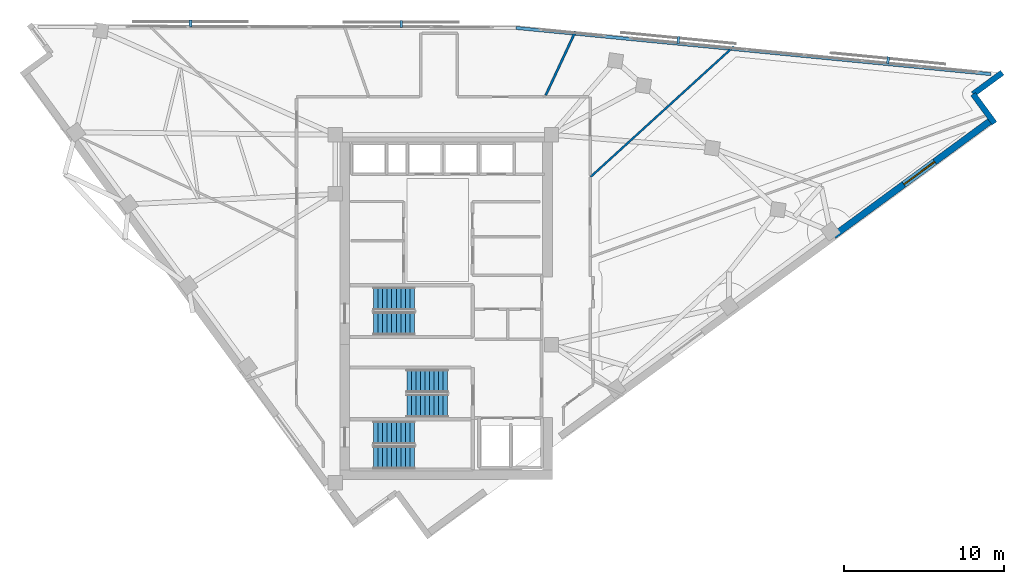
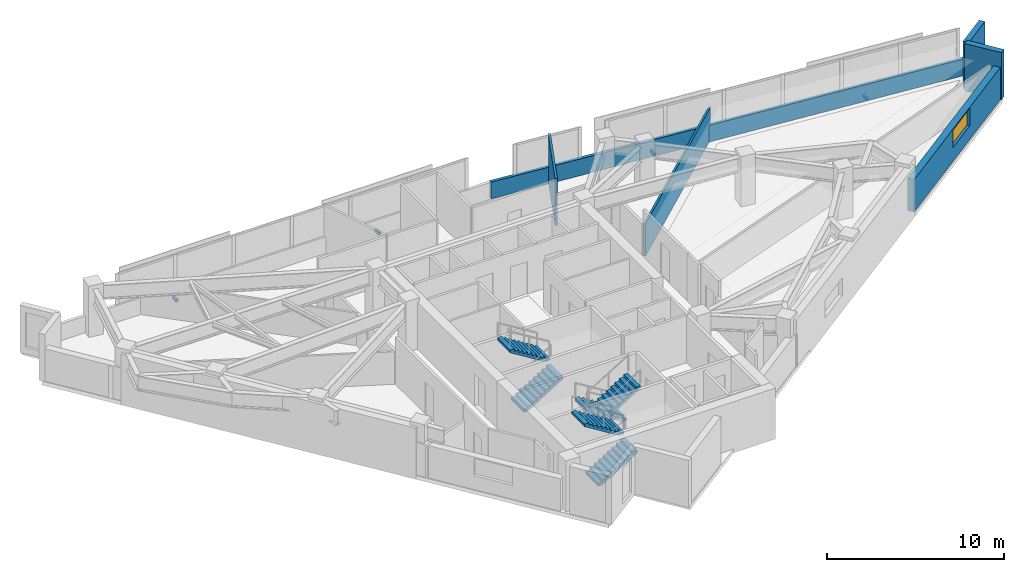
# One storey, part 12 of 14: 6 stair flights, 6 walls, 4 discrete accessories, 1 window, 1 opening, 3 elements without a shape of their own.
"""IFC4 building model written with IfcOpenShell, lengths in metres."""

from ifc_helpers import new_model, si_unit, direction, frame, frame_2d, origin, origin_2d, place, context, subcontext, project, spatial, polyline, rectangle, outline, extrude, material, layer, layer_set, type_object, element, fill, aggregate, save


model = new_model("IFC4")

# Units and contexts
model_context = context("Model", 3, precision=1e-05, world=origin(), true_north=direction((0.0, 1.0)))
body_context = subcontext(model_context, "Body", "Model", "MODEL_VIEW")
ifc_project = project(units=[si_unit("LENGTHUNIT", "METRE"), si_unit("AREAUNIT", "SQUARE_METRE"), si_unit("VOLUMEUNIT", "CUBIC_METRE"), si_unit("PLANEANGLEUNIT", "RADIAN"), si_unit("MASSUNIT", "GRAM", prefix="KILO")], contexts=[model_context])

# Site, building, storey
site_placement = place(None, origin())
site = spatial("IfcSite", under=ifc_project, at=site_placement, CompositionType="ELEMENT")
building_placement = place(site_placement, origin())
building = spatial("IfcBuilding", under=site, at=building_placement, Name="Narakoshi Arena Tower", CompositionType="ELEMENT")
storey_placement = place(building_placement, frame((0.0, 0.0, 260.739990234375)))
storey = spatial("IfcBuildingStorey", under=building, at=storey_placement, Name="L71", CompositionType="ELEMENT", Elevation=260.739990234375)

# Walls
ifc_material_1 = material(Name="Precast concrete C45/55", Category="concrete")
ifc_layer_1 = layer(ifc_material_1, 0.25)
ifc_layer_set_1 = layer_set([ifc_layer_1], Name="Precast concrete C45/55")
wall_type_1 = type_object("IfcWallType", Name="WL-PARA-250", PredefinedType="PARAPET", material=ifc_layer_set_1)
wall_1_placement = place(storey_placement, frame((113.093505859375, 60.296630859375, 0.0), z_axis=(0.0, 0.0, 1.0), x_axis=(-0.995299069493, 0.096849172769, 0.0)))
element("IfcWall", 1, at=wall_1_placement, inside=storey, type_object=wall_type_1, Name="L71 Hypotenuse Sill Upstand Parapet 1-01", PredefinedType="PARAPET", context=body_context, shape_type="SweptSolid", body=[
    extrude(rectangle(XDim=29.917236328125, YDim=0.199951171875, at=frame_2d((14.95849609375, 0.0))), origin(), (0.0, 0.0, 1.0), 1.14990234375),
])
ifc_material_2 = material(Name="Gypsum plasterboard fire-rated partition")
ifc_layer_2 = layer(ifc_material_2, 0.125)
ifc_layer_set_2 = layer_set([ifc_layer_2], Name="Gypsum plasterboard fire-rated partition")
wall_type_2 = type_object("IfcWallType", Name="WL-PART-125", PredefinedType="PARTITIONING", material=ifc_layer_set_2)
wall_2_placement = place(storey_placement, frame((88.00244140625, 53.86376953125, 0.0), z_axis=(0.0, 0.0, 1.0), x_axis=(0.739296368456, 0.673380189482, 0.0)))
element("IfcWall", 2, at=wall_2_placement, inside=storey, type_object=wall_type_2, Name="L71 Inter-Room Partition 04-05", PredefinedType="PARTITIONING", context=body_context, shape_type="SweptSolid", body=[
    extrude(rectangle(XDim=12.12255859375, YDim=0.125, at=frame_2d((6.061279296875, 0.0))), origin(), (0.0, 0.0, 1.0), 2.237060546875),
])

# Wall, opening, window
ifc_layer_3 = layer(ifc_material_1, 0.419921875)
ifc_layer_set_3 = layer_set([ifc_layer_3], Name="Precast concrete C45/55")
wall_type_3 = type_object("IfcWallType", Name="WL-POD-420", PredefinedType="SOLIDWALL", material=ifc_layer_set_3)
wall_3_placement = place(storey_placement, frame((103.236572265625, 50.17529296875, 0.0), z_axis=(0.0, 0.0, 1.0), x_axis=(0.80643721533, 0.591319725471, 0.0)))
wall_3 = element("IfcWall", 3, at=wall_3_placement, inside=storey, type_object=wall_type_3, Name="L71 Architectural Concrete Facade Wall LEGA-4", PredefinedType="SOLIDWALL", context=body_context, shape_type="SweptSolid", body=[
    extrude(rectangle(XDim=12.285400390625, YDim=0.419921875, at=frame_2d((6.142578125, 0.0))), origin(), (0.0, 0.0, 1.0), 2.237060546875),
])
opening_placement = place(wall_3_placement, frame((5.443359375, 0.0, 0.95703125)))
opening = element("IfcOpeningElement", 4, at=opening_placement, cuts=wall_3, Name="Opening WN-04", PredefinedType="OPENING", context=body_context, shape_type="SweptSolid", body=[
    extrude(rectangle(XDim=2.39990234375, YDim=1.199951171875, at=frame_2d((1.199951171875, 0.60009765625))), frame((0.0, 0.219970703125, 0.0), z_axis=(0.0, -1.0, 0.0), x_axis=(1.0, 0.0, 0.0)), (0.0, 0.0, 1.0), 0.43994140625),
])
ifc_material_3 = material(Name="Bronze-tinted low-E laminated glass", Category="glass")
window_type = type_object("IfcWindowType", Name="WIN-SLT-24x12", PartitioningType="SINGLE_PANEL", PredefinedType="WINDOW", material=ifc_material_3)
window_placement = place(opening_placement, origin())
window = element("IfcWindow", 5, at=window_placement, inside=storey, type_object=window_type, Name="L71 LEGA4 Horizontal Slot Window 1", OverallHeight=1.199951171875, OverallWidth=2.39990234375, PartitioningType="SINGLE_PANEL", PredefinedType="WINDOW", context=body_context, shape_type="SweptSolid", body=[
    extrude(rectangle(XDim=2.39990234375, YDim=1.199951171875, at=frame_2d((1.199951171875, 0.60009765625))), frame((0.0, 0.030029296875, 0.0), z_axis=(0.0, -1.0, 0.0), x_axis=(1.0, 0.0, 0.0)), (0.0, 0.0, 1.0), 0.06005859375),
])
fill(opening, window)

# Walls
wall_4_placement = place(storey_placement, frame((113.306640625, 57.218017578125, 0.0), z_axis=(0.0, 0.0, 1.0), x_axis=(-0.591251685745, 0.806487101015, 0.0)))
element("IfcWall", 6, at=wall_4_placement, inside=storey, type_object=wall_type_3, Name="L71 Re-Entrant Corner Notch Wall NTE-1", PredefinedType="SOLIDWALL", context=body_context, shape_type="SweptSolid", body=[
    extrude(rectangle(XDim=2.2685546875, YDim=0.360107421875, at=frame_2d((1.13427734375, 0.0))), origin(), (0.0, 0.0, 1.0), 3.260009765625),
])
wall_5_placement = place(storey_placement, frame((111.96533203125, 59.047607421875, 0.0), z_axis=(0.0, 0.0, 1.0), x_axis=(0.806435785153, 0.59132167593, 0.0)))
element("IfcWall", 7, at=wall_5_placement, inside=storey, type_object=wall_type_3, Name="L71 Re-Entrant Corner Notch Wall NTE-2", PredefinedType="SOLIDWALL", context=body_context, shape_type="SweptSolid", body=[
    extrude(rectangle(XDim=2.268798828125, YDim=0.360107421875, at=frame_2d((1.13427734375, 0.0))), origin(), (0.0, 0.0, 1.0), 3.260009765625),
])
ifc_material_4 = material(Name="Moisture-resistant cement-board partition")
ifc_layer_4 = layer(ifc_material_4, 0.14501953125)
ifc_layer_set_4 = layer_set([ifc_layer_4], Name="Moisture-resistant cement-board partition")
wall_type_4 = type_object("IfcWallType", Name="WL-WET-145", PredefinedType="PARTITIONING", material=ifc_layer_set_4)
wall_6_placement = place(storey_placement, frame((85.18505859375, 58.966796875, 0.0), z_axis=(0.0, 0.0, 1.0), x_axis=(0.422045168798, 0.906574804136, 0.0)))
element("IfcWall", 8, at=wall_6_placement, inside=storey, type_object=wall_type_4, Name="L71 Inter-Room Partition 05-06", PredefinedType="PARTITIONING", context=body_context, shape_type="SweptSolid", body=[
    extrude(rectangle(XDim=4.438720703125, YDim=0.14501953125, at=frame_2d((2.21923828125, 0.0))), origin(), (0.0, 0.0, 1.0), 3.260009765625),
])

# Stair, stair flights
ifc_material_5 = material(Name="Concrete C45/55", Category="concrete")
stair_type = type_object("IfcStairType", Name="STR-CORE-352", PredefinedType="TWO_STRAIGHT_RUN_STAIR", material=ifc_material_5)
stair_1_placement = place(storey_placement, origin())
stair_1 = element("IfcStair", 9, at=stair_1_placement, inside=storey, type_object=stair_type, Name="L71 Core Escape Stair ST1", PredefinedType="TWO_STRAIGHT_RUN_STAIR")
stair_flight_type = type_object("IfcStairFlightType", Name="FLT-145-160", PredefinedType="STRAIGHT", material=ifc_material_1)
stair_flight_1_placement = place(storey_placement, frame((74.39990234375, 36.27490234375, 0.0), z_axis=(0.0, 0.0, 1.0), x_axis=(1.0, 0.0, 0.0)))
stair_flight_1 = element("IfcStairFlight", 10, at=stair_flight_1_placement, type_object=stair_flight_type, Name="ST1 flight 1", NumberOfRisers=10, NumberOfTreads=9, PredefinedType="STRAIGHT", RiserHeight=0.176, TreadLength=0.285, context=body_context, shape_type="SweptSolid", body=[
    extrude(outline(polyline([(0.0, 0.0), (0.0, 0.176025390625), (0.284912109375, 0.176025390625), (0.284912109375, 0.35205078125), (0.570068359375, 0.35205078125), (0.570068359375, 0.528076171875), (0.85498046875, 0.528076171875), (0.85498046875, 0.7041015625), (1.139892578125, 0.7041015625), (1.139892578125, 0.8798828125), (1.425048828125, 0.8798828125), (1.425048828125, 1.055908203125), (1.7099609375, 1.055908203125), (1.7099609375, 1.23193359375), (1.9951171875, 1.23193359375), (1.9951171875, 1.407958984375), (2.280029296875, 1.407958984375), (2.280029296875, 1.583984375), (2.56494140625, 1.583984375), (2.56494140625, 1.760009765625), (2.56494140625, 1.40771484375), (0.285400390625, 0.0), (0.0, 0.0)])), frame((0.0, 0.72509765625, 0.0), z_axis=(0.0, -1.0, 0.0), x_axis=(1.0, 0.0, 0.0)), (0.0, 0.0, 1.0), 1.449951171875),
])
stair_flight_2_placement = place(storey_placement, frame((76.965087890625, 37.824951171875, 1.760009765625), z_axis=(0.0, 0.0, 1.0), x_axis=(-1.0, 0.0, 0.0)))
stair_flight_2 = element("IfcStairFlight", 11, at=stair_flight_2_placement, type_object=stair_flight_type, Name="ST1 flight 2", NumberOfRisers=10, NumberOfTreads=9, PredefinedType="STRAIGHT", RiserHeight=0.176, TreadLength=0.285, context=body_context, shape_type="SweptSolid", body=[
    extrude(outline(polyline([(0.0, 0.0), (0.0, 0.176025390625), (0.284912109375, 0.176025390625), (0.284912109375, 0.35205078125), (0.570068359375, 0.35205078125), (0.570068359375, 0.528076171875), (0.85498046875, 0.528076171875), (0.85498046875, 0.7041015625), (1.139892578125, 0.7041015625), (1.139892578125, 0.8798828125), (1.425048828125, 0.8798828125), (1.425048828125, 1.055908203125), (1.7099609375, 1.055908203125), (1.7099609375, 1.23193359375), (1.9951171875, 1.23193359375), (1.9951171875, 1.407958984375), (2.280029296875, 1.407958984375), (2.280029296875, 1.583984375), (2.56494140625, 1.583984375), (2.56494140625, 1.760009765625), (2.56494140625, 1.40771484375), (0.285400390625, 0.0), (0.0, 0.0)])), frame((0.0, 0.72509765625, 0.0), z_axis=(0.0, -1.0, 0.0), x_axis=(1.0, 0.0, 0.0)), (0.0, 0.0, 1.0), 1.449951171875),
])
aggregate(stair_1, [stair_flight_1, stair_flight_2])

stair_2_placement = place(storey_placement, origin())
stair_2 = element("IfcStair", 12, at=stair_2_placement, inside=storey, type_object=stair_type, Name="L71 Core Escape Stair ST2", PredefinedType="TWO_STRAIGHT_RUN_STAIR")
stair_flight_3_placement = place(storey_placement, frame((79.050048828125, 41.074951171875, 0.0), z_axis=(0.0, 0.0, 1.0), x_axis=(-1.0, 0.0, 0.0)))
stair_flight_3 = element("IfcStairFlight", 13, at=stair_flight_3_placement, type_object=stair_flight_type, Name="ST2 flight 1", NumberOfRisers=10, NumberOfTreads=9, PredefinedType="STRAIGHT", RiserHeight=0.176, TreadLength=0.285, context=body_context, shape_type="SweptSolid", body=[
    extrude(outline(polyline([(0.0, 0.0), (0.0, 0.176025390625), (0.284912109375, 0.176025390625), (0.284912109375, 0.35205078125), (0.570068359375, 0.35205078125), (0.570068359375, 0.528076171875), (0.85498046875, 0.528076171875), (0.85498046875, 0.7041015625), (1.139892578125, 0.7041015625), (1.139892578125, 0.8798828125), (1.425048828125, 0.8798828125), (1.425048828125, 1.055908203125), (1.7099609375, 1.055908203125), (1.7099609375, 1.23193359375), (1.9951171875, 1.23193359375), (1.9951171875, 1.407958984375), (2.280029296875, 1.407958984375), (2.280029296875, 1.583984375), (2.56494140625, 1.583984375), (2.56494140625, 1.760009765625), (2.56494140625, 1.40771484375), (0.285400390625, 0.0), (0.0, 0.0)])), frame((0.0, 0.72509765625, 0.0), z_axis=(0.0, -1.0, 0.0), x_axis=(1.0, 0.0, 0.0)), (0.0, 0.0, 1.0), 1.449951171875),
])
stair_flight_4_placement = place(storey_placement, frame((76.485107421875, 39.52490234375, 1.760009765625), z_axis=(0.0, 0.0, 1.0), x_axis=(1.0, 0.0, 0.0)))
stair_flight_4 = element("IfcStairFlight", 14, at=stair_flight_4_placement, type_object=stair_flight_type, Name="ST2 flight 2", NumberOfRisers=10, NumberOfTreads=9, PredefinedType="STRAIGHT", RiserHeight=0.176, TreadLength=0.285, context=body_context, shape_type="SweptSolid", body=[
    extrude(outline(polyline([(0.0, 0.0), (0.0, 0.176025390625), (0.284912109375, 0.176025390625), (0.284912109375, 0.35205078125), (0.570068359375, 0.35205078125), (0.570068359375, 0.528076171875), (0.85498046875, 0.528076171875), (0.85498046875, 0.7041015625), (1.139892578125, 0.7041015625), (1.139892578125, 0.8798828125), (1.425048828125, 0.8798828125), (1.425048828125, 1.055908203125), (1.7099609375, 1.055908203125), (1.7099609375, 1.23193359375), (1.9951171875, 1.23193359375), (1.9951171875, 1.407958984375), (2.280029296875, 1.407958984375), (2.280029296875, 1.583984375), (2.56494140625, 1.583984375), (2.56494140625, 1.760009765625), (2.56494140625, 1.40771484375), (0.285400390625, 0.0), (0.0, 0.0)])), frame((0.0, 0.72509765625, 0.0), z_axis=(0.0, -1.0, 0.0), x_axis=(1.0, 0.0, 0.0)), (0.0, 0.0, 1.0), 1.449951171875),
])
aggregate(stair_2, [stair_flight_3, stair_flight_4])

stair_3_placement = place(storey_placement, origin())
stair_3 = element("IfcStair", 15, at=stair_3_placement, inside=storey, type_object=stair_type, Name="L71 Core Escape Stair ST3", PredefinedType="TWO_STRAIGHT_RUN_STAIR")
stair_flight_5_placement = place(storey_placement, frame((74.39990234375, 44.675048828125, 0.0), z_axis=(0.0, 0.0, 1.0), x_axis=(1.0, 0.0, 0.0)))
stair_flight_5 = element("IfcStairFlight", 16, at=stair_flight_5_placement, type_object=stair_flight_type, Name="ST3 flight 1", NumberOfRisers=10, NumberOfTreads=9, PredefinedType="STRAIGHT", RiserHeight=0.176, TreadLength=0.285, context=body_context, shape_type="SweptSolid", body=[
    extrude(outline(polyline([(0.0, 0.0), (0.0, 0.176025390625), (0.284912109375, 0.176025390625), (0.284912109375, 0.35205078125), (0.570068359375, 0.35205078125), (0.570068359375, 0.528076171875), (0.85498046875, 0.528076171875), (0.85498046875, 0.7041015625), (1.139892578125, 0.7041015625), (1.139892578125, 0.8798828125), (1.425048828125, 0.8798828125), (1.425048828125, 1.055908203125), (1.7099609375, 1.055908203125), (1.7099609375, 1.23193359375), (1.9951171875, 1.23193359375), (1.9951171875, 1.407958984375), (2.280029296875, 1.407958984375), (2.280029296875, 1.583984375), (2.56494140625, 1.583984375), (2.56494140625, 1.760009765625), (2.56494140625, 1.40771484375), (0.285400390625, 0.0), (0.0, 0.0)])), frame((0.0, 0.72509765625, 0.0), z_axis=(0.0, -1.0, 0.0), x_axis=(1.0, 0.0, 0.0)), (0.0, 0.0, 1.0), 1.449951171875),
])
stair_flight_6_placement = place(storey_placement, frame((76.965087890625, 46.22509765625, 1.760009765625), z_axis=(0.0, 0.0, 1.0), x_axis=(-1.0, 0.0, 0.0)))
stair_flight_6 = element("IfcStairFlight", 17, at=stair_flight_6_placement, type_object=stair_flight_type, Name="ST3 flight 2", NumberOfRisers=10, NumberOfTreads=9, PredefinedType="STRAIGHT", RiserHeight=0.176, TreadLength=0.285, context=body_context, shape_type="SweptSolid", body=[
    extrude(outline(polyline([(0.0, 0.0), (0.0, 0.176025390625), (0.284912109375, 0.176025390625), (0.284912109375, 0.35205078125), (0.570068359375, 0.35205078125), (0.570068359375, 0.528076171875), (0.85498046875, 0.528076171875), (0.85498046875, 0.7041015625), (1.139892578125, 0.7041015625), (1.139892578125, 0.8798828125), (1.425048828125, 0.8798828125), (1.425048828125, 1.055908203125), (1.7099609375, 1.055908203125), (1.7099609375, 1.23193359375), (1.9951171875, 1.23193359375), (1.9951171875, 1.407958984375), (2.280029296875, 1.407958984375), (2.280029296875, 1.583984375), (2.56494140625, 1.583984375), (2.56494140625, 1.760009765625), (2.56494140625, 1.40771484375), (0.285400390625, 0.0), (0.0, 0.0)])), frame((0.0, 0.72509765625, 0.0), z_axis=(0.0, -1.0, 0.0), x_axis=(1.0, 0.0, 0.0)), (0.0, 0.0, 1.0), 1.449951171875),
])
aggregate(stair_3, [stair_flight_5, stair_flight_6])

# Discrete accessories
ifc_material_6 = material(Name="Structural steel S355J2", Category="steel")
discrete_accessory_type = type_object("IfcDiscreteAccessoryType", Name="ACC-BRK-SCR", PredefinedType="BRACKET", material=ifc_material_6)
for number, where, z_axis, x_axis, name in (
    (18, (106.636474609375, 61.166015625, -0.080078125), (0.0, 0.0, 1.0), (-0.995298664587, 0.096853333819, 0.0), "L71 Solar Screen Support Bracket SHD-L71-SCR1-1"),
    (19, (93.498291015625, 62.444580078125, -0.080078125), (0.0, 0.0, 1.0), (-0.995298664587, 0.096853333819, 0.0), "L71 Solar Screen Support Bracket SHD-L71-SCR1-2"),
    (20, (76.1328125, 63.4462890625, -0.080078125), (0.0, 0.0, 1.0), (-0.999998352629, 0.001815141425, 0.0), "L71 Solar Screen Support Bracket SHD-L71-SCR2-1"),
    (21, (62.9326171875, 63.470458984375, -0.080078125), (0.0, 0.0, 1.0), (-0.999998352629, 0.001815141425, 0.0), "L71 Solar Screen Support Bracket SHD-L71-SCR2-2"),
):
    element("IfcDiscreteAccessory", number, at=place(storey_placement, frame(where, z_axis=z_axis, x_axis=x_axis)), inside=storey, type_object=discrete_accessory_type, Name=name, PredefinedType="BRACKET", context=body_context, shape_type="SweptSolid", body=[
        extrude(rectangle(XDim=0.159912109375, YDim=0.43994140625, at=origin_2d()), origin(), (0.0, 0.0, 1.0), 0.199951171875),
    ])

save(model, "model.ifc")
